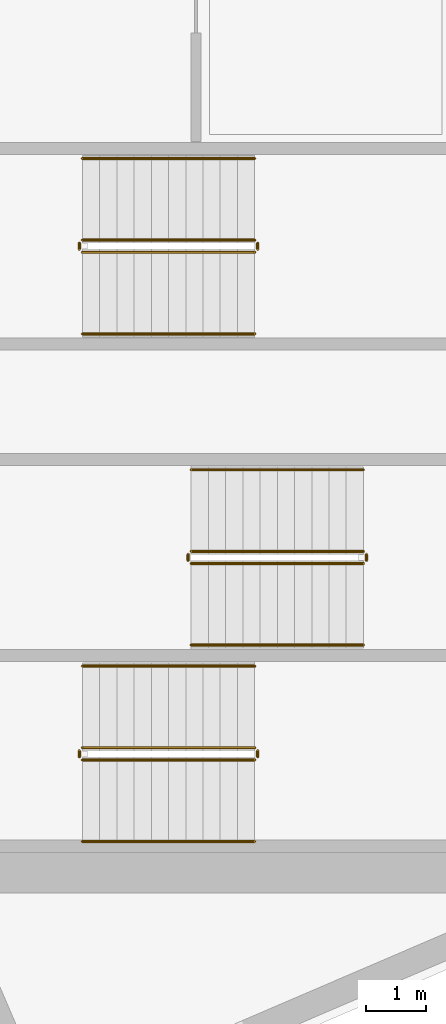
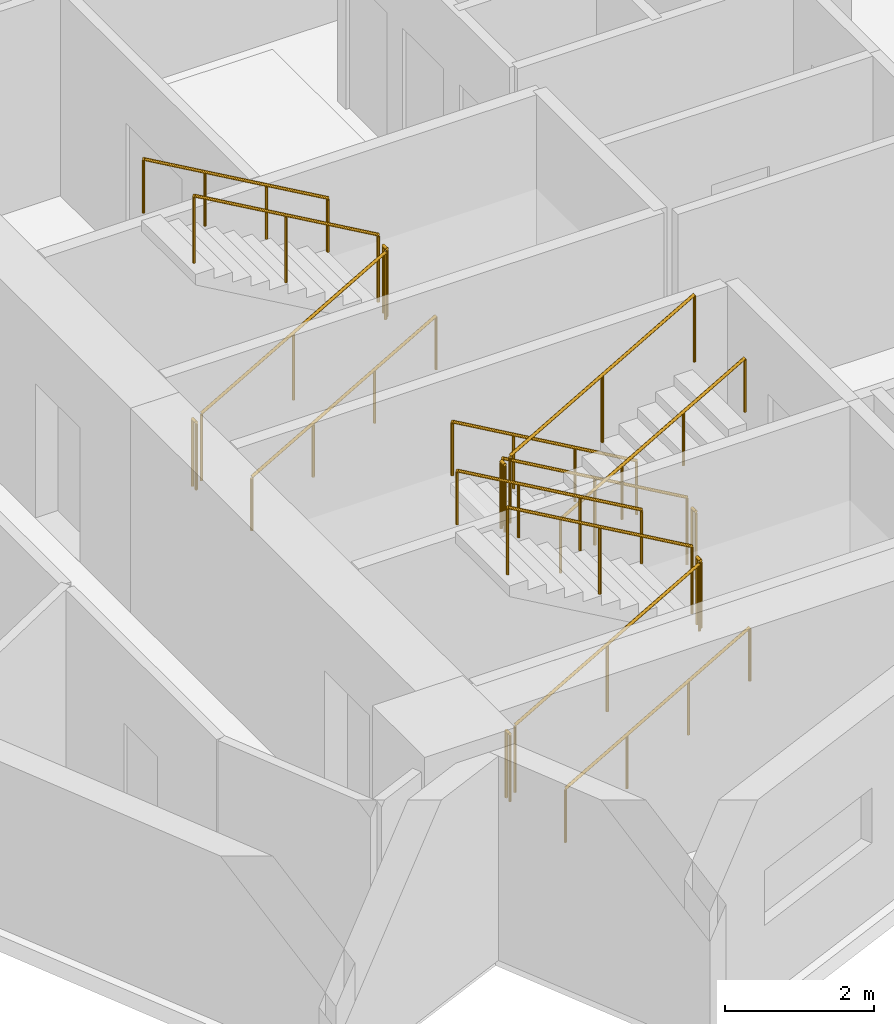
# One storey, part 13 of 14: 18 railings.
"""IFC4 building model written with IfcOpenShell, lengths in metres."""

from ifc_helpers import new_model, si_unit, direction, frame, origin, origin_2d, place, context, subcontext, project, spatial, circle, extrude, material, type_object, element, save


model = new_model("IFC4")

# Units and contexts
model_context = context("Model", 3, precision=1e-05, world=origin(), true_north=direction((0.0, 1.0)))
body_context = subcontext(model_context, "Body", "Model", "MODEL_VIEW")
ifc_project = project(units=[si_unit("LENGTHUNIT", "METRE"), si_unit("AREAUNIT", "SQUARE_METRE"), si_unit("VOLUMEUNIT", "CUBIC_METRE"), si_unit("PLANEANGLEUNIT", "RADIAN"), si_unit("MASSUNIT", "GRAM", prefix="KILO")], contexts=[model_context])

# Site, building, storey
site_placement = place(None, origin())
site = spatial("IfcSite", under=ifc_project, at=site_placement, CompositionType="ELEMENT")
building_placement = place(site_placement, origin())
building = spatial("IfcBuilding", under=site, at=building_placement, Name="Narakoshi Arena Tower", CompositionType="ELEMENT")
storey_placement = place(building_placement, frame((0.0, 0.0, 168.300048828125)))
storey = spatial("IfcBuildingStorey", under=building, at=storey_placement, Name="L45", CompositionType="ELEMENT", Elevation=168.300048828125)

# Railings
ifc_material_1 = material(Name="Clear low-iron laminated structural glass", Category="glass")
railing_type_1 = type_object("IfcRailingType", Name="RL-BAL-1100", PredefinedType="BALUSTRADE", material=ifc_material_1)
railing_1_placement = place(storey_placement, frame((74.39990234375, 36.949951171875, 0.16357421875)))
element("IfcRailing", 1, at=railing_1_placement, inside=storey, type_object=railing_type_1, Name="L45 ST1 stair guard 1", PredefinedType="BALUSTRADE", context=body_context, shape_type="SweptSolid", body=[
    extrude(circle(Radius=0.02392578125, at=origin_2d()), frame((0.0, 0.0, 1.09619140625), z_axis=(0.86721270334, 0.0, 0.497937874806), x_axis=(0.0, 1.0, 0.0)), (0.0, 0.0, 1.0), 3.28662109375),
    extrude(circle(Radius=0.02099609375, at=origin_2d()), origin(), (0.0, 0.0, 1.0), 1.072021484375),
    extrude(circle(Radius=0.02099609375, at=origin_2d()), frame((1.425048828125, 0.0, 0.818359375)), (0.0, 0.0, 1.0), 1.072021484375),
    extrude(circle(Radius=0.02099609375, at=origin_2d()), frame((2.85009765625, 0.0, 1.636474609375)), (0.0, 0.0, 1.0), 1.072021484375),
])
railing_2_placement = place(storey_placement, frame((77.300048828125, 37.0, 1.800048828125)))
element("IfcRailing", 2, at=railing_2_placement, inside=storey, type_object=railing_type_1, Name="L45 ST1 stair guard 2", PredefinedType="BALUSTRADE", context=body_context, shape_type="SweptSolid", body=[
    extrude(circle(Radius=0.02392578125, at=origin_2d()), frame((0.0, 0.0, 1.09619140625), z_axis=(0.0, 1.0, 0.0), x_axis=(-1.0, 0.0, 0.0)), (0.0, 0.0, 1.0), 0.10009765625),
    extrude(circle(Radius=0.02099609375, at=origin_2d()), origin(), (0.0, 0.0, 1.0), 1.072021484375),
    extrude(circle(Radius=0.02099609375, at=origin_2d()), frame((0.0, 0.10009765625, 0.0)), (0.0, 0.0, 1.0), 1.072021484375),
])
railing_3_placement = place(storey_placement, frame((77.25, 37.14990234375, 1.963623046875)))
element("IfcRailing", 3, at=railing_3_placement, inside=storey, type_object=railing_type_1, Name="L45 ST1 stair guard 3", PredefinedType="BALUSTRADE", context=body_context, shape_type="SweptSolid", body=[
    extrude(circle(Radius=0.02392578125, at=origin_2d()), frame((0.0, 0.0, 1.09619140625), z_axis=(-0.867244780686, 0.0, 0.497882004468), x_axis=(0.0, -1.0, 0.0)), (0.0, 0.0, 1.0), 3.286376953125),
    extrude(circle(Radius=0.02099609375, at=origin_2d()), origin(), (0.0, 0.0, 1.0), 1.072021484375),
    extrude(circle(Radius=0.02099609375, at=origin_2d()), frame((-1.425048828125, 0.0, 0.818115234375)), (0.0, 0.0, 1.0), 1.072021484375),
    extrude(circle(Radius=0.02099609375, at=origin_2d()), frame((-2.85009765625, 0.0, 1.63623046875)), (0.0, 0.0, 1.0), 1.072021484375),
])
railing_4_placement = place(storey_placement, frame((74.35009765625, 37.0, 0.0)))
element("IfcRailing", 4, at=railing_4_placement, inside=storey, type_object=railing_type_1, Name="L45 ST1 stair guard 4", PredefinedType="BALUSTRADE", context=body_context, shape_type="SweptSolid", body=[
    extrude(circle(Radius=0.02392578125, at=origin_2d()), frame((0.0, 0.0, 1.09619140625), z_axis=(0.0, 1.0, 0.0), x_axis=(-1.0, 0.0, 0.0)), (0.0, 0.0, 1.0), 0.10009765625),
    extrude(circle(Radius=0.02099609375, at=origin_2d()), origin(), (0.0, 0.0, 1.0), 1.072021484375),
    extrude(circle(Radius=0.02099609375, at=origin_2d()), frame((0.0, 0.10009765625, 0.0)), (0.0, 0.0, 1.0), 1.072021484375),
])
railing_5_placement = place(storey_placement, frame((79.050048828125, 40.39990234375, 0.16357421875)))
element("IfcRailing", 5, at=railing_5_placement, inside=storey, type_object=railing_type_1, Name="L45 ST2 stair guard 1", PredefinedType="BALUSTRADE", context=body_context, shape_type="SweptSolid", body=[
    extrude(circle(Radius=0.02392578125, at=origin_2d()), frame((0.0, 0.0, 1.09619140625), z_axis=(-0.86721270334, 0.0, 0.497937874806), x_axis=(0.0, -1.0, 0.0)), (0.0, 0.0, 1.0), 3.28662109375),
    extrude(circle(Radius=0.02099609375, at=origin_2d()), origin(), (0.0, 0.0, 1.0), 1.072021484375),
    extrude(circle(Radius=0.02099609375, at=origin_2d()), frame((-1.425048828125, 0.0, 0.818359375)), (0.0, 0.0, 1.0), 1.072021484375),
    extrude(circle(Radius=0.02099609375, at=origin_2d()), frame((-2.85009765625, 0.0, 1.636474609375)), (0.0, 0.0, 1.0), 1.072021484375),
])
railing_6_placement = place(storey_placement, frame((76.14990234375, 40.35009765625, 1.800048828125)))
element("IfcRailing", 6, at=railing_6_placement, inside=storey, type_object=railing_type_1, Name="L45 ST2 stair guard 2", PredefinedType="BALUSTRADE", context=body_context, shape_type="SweptSolid", body=[
    extrude(circle(Radius=0.02392578125, at=origin_2d()), frame((0.0, 0.0, 1.09619140625), z_axis=(0.0, -1.0, 0.0), x_axis=(1.0, 0.0, 0.0)), (0.0, 0.0, 1.0), 0.10009765625),
    extrude(circle(Radius=0.02099609375, at=origin_2d()), origin(), (0.0, 0.0, 1.0), 1.072021484375),
    extrude(circle(Radius=0.02099609375, at=origin_2d()), frame((0.0, -0.10009765625, 0.0)), (0.0, 0.0, 1.0), 1.072021484375),
])
railing_7_placement = place(storey_placement, frame((76.199951171875, 40.199951171875, 1.963623046875)))
element("IfcRailing", 7, at=railing_7_placement, inside=storey, type_object=railing_type_1, Name="L45 ST2 stair guard 3", PredefinedType="BALUSTRADE", context=body_context, shape_type="SweptSolid", body=[
    extrude(circle(Radius=0.02392578125, at=origin_2d()), frame((0.0, 0.0, 1.09619140625), z_axis=(0.867244780686, 0.0, 0.497882004468), x_axis=(0.0, 1.0, 0.0)), (0.0, 0.0, 1.0), 3.286376953125),
    extrude(circle(Radius=0.02099609375, at=origin_2d()), origin(), (0.0, 0.0, 1.0), 1.072021484375),
    extrude(circle(Radius=0.02099609375, at=origin_2d()), frame((1.425048828125, 0.0, 0.818115234375)), (0.0, 0.0, 1.0), 1.072021484375),
    extrude(circle(Radius=0.02099609375, at=origin_2d()), frame((2.85009765625, 0.0, 1.63623046875)), (0.0, 0.0, 1.0), 1.072021484375),
])
railing_8_placement = place(storey_placement, frame((79.10009765625, 40.35009765625, 0.0)))
element("IfcRailing", 8, at=railing_8_placement, inside=storey, type_object=railing_type_1, Name="L45 ST2 stair guard 4", PredefinedType="BALUSTRADE", context=body_context, shape_type="SweptSolid", body=[
    extrude(circle(Radius=0.02392578125, at=origin_2d()), frame((0.0, 0.0, 1.09619140625), z_axis=(0.0, -1.0, 0.0), x_axis=(1.0, 0.0, 0.0)), (0.0, 0.0, 1.0), 0.10009765625),
    extrude(circle(Radius=0.02099609375, at=origin_2d()), origin(), (0.0, 0.0, 1.0), 1.072021484375),
    extrude(circle(Radius=0.02099609375, at=origin_2d()), frame((0.0, -0.10009765625, 0.0)), (0.0, 0.0, 1.0), 1.072021484375),
])
railing_9_placement = place(storey_placement, frame((74.39990234375, 45.35009765625, 0.16357421875)))
element("IfcRailing", 9, at=railing_9_placement, inside=storey, type_object=railing_type_1, Name="L45 ST3 stair guard 1", PredefinedType="BALUSTRADE", context=body_context, shape_type="SweptSolid", body=[
    extrude(circle(Radius=0.02392578125, at=origin_2d()), frame((0.0, 0.0, 1.09619140625), z_axis=(0.86721270334, 0.0, 0.497937874806), x_axis=(0.0, 1.0, 0.0)), (0.0, 0.0, 1.0), 3.28662109375),
    extrude(circle(Radius=0.02099609375, at=origin_2d()), origin(), (0.0, 0.0, 1.0), 1.072021484375),
    extrude(circle(Radius=0.02099609375, at=origin_2d()), frame((1.425048828125, 0.0, 0.818359375)), (0.0, 0.0, 1.0), 1.072021484375),
    extrude(circle(Radius=0.02099609375, at=origin_2d()), frame((2.85009765625, 0.0, 1.636474609375)), (0.0, 0.0, 1.0), 1.072021484375),
])
railing_10_placement = place(storey_placement, frame((77.300048828125, 45.39990234375, 1.800048828125)))
element("IfcRailing", 10, at=railing_10_placement, inside=storey, type_object=railing_type_1, Name="L45 ST3 stair guard 2", PredefinedType="BALUSTRADE", context=body_context, shape_type="SweptSolid", body=[
    extrude(circle(Radius=0.02392578125, at=origin_2d()), frame((0.0, 0.0, 1.09619140625), z_axis=(0.0, 1.0, 0.0), x_axis=(-1.0, 0.0, 0.0)), (0.0, 0.0, 1.0), 0.10009765625),
    extrude(circle(Radius=0.02099609375, at=origin_2d()), origin(), (0.0, 0.0, 1.0), 1.072021484375),
    extrude(circle(Radius=0.02099609375, at=origin_2d()), frame((0.0, 0.10009765625, 0.0)), (0.0, 0.0, 1.0), 1.072021484375),
])
railing_11_placement = place(storey_placement, frame((77.25, 45.550048828125, 1.963623046875)))
element("IfcRailing", 11, at=railing_11_placement, inside=storey, type_object=railing_type_1, Name="L45 ST3 stair guard 3", PredefinedType="BALUSTRADE", context=body_context, shape_type="SweptSolid", body=[
    extrude(circle(Radius=0.02392578125, at=origin_2d()), frame((0.0, 0.0, 1.09619140625), z_axis=(-0.867244780686, 0.0, 0.497882004468), x_axis=(0.0, -1.0, 0.0)), (0.0, 0.0, 1.0), 3.286376953125),
    extrude(circle(Radius=0.02099609375, at=origin_2d()), origin(), (0.0, 0.0, 1.0), 1.072021484375),
    extrude(circle(Radius=0.02099609375, at=origin_2d()), frame((-1.425048828125, 0.0, 0.818115234375)), (0.0, 0.0, 1.0), 1.072021484375),
    extrude(circle(Radius=0.02099609375, at=origin_2d()), frame((-2.85009765625, 0.0, 1.63623046875)), (0.0, 0.0, 1.0), 1.072021484375),
])
railing_12_placement = place(storey_placement, frame((74.35009765625, 45.39990234375, 0.0)))
element("IfcRailing", 12, at=railing_12_placement, inside=storey, type_object=railing_type_1, Name="L45 ST3 stair guard 4", PredefinedType="BALUSTRADE", context=body_context, shape_type="SweptSolid", body=[
    extrude(circle(Radius=0.02392578125, at=origin_2d()), frame((0.0, 0.0, 1.09619140625), z_axis=(0.0, 1.0, 0.0), x_axis=(-1.0, 0.0, 0.0)), (0.0, 0.0, 1.0), 0.10009765625),
    extrude(circle(Radius=0.02099609375, at=origin_2d()), origin(), (0.0, 0.0, 1.0), 1.072021484375),
    extrude(circle(Radius=0.02099609375, at=origin_2d()), frame((0.0, 0.10009765625, 0.0)), (0.0, 0.0, 1.0), 1.072021484375),
])
ifc_material_2 = material(Name="Brushed bronze stainless steel", Category="steel")
railing_type_2 = type_object("IfcRailingType", Name="RL-HND-900", PredefinedType="HANDRAIL", material=ifc_material_2)
railing_13_placement = place(storey_placement, frame((74.39990234375, 35.60009765625, 0.16357421875)))
element("IfcRailing", 13, at=railing_13_placement, inside=storey, type_object=railing_type_2, Name="L45 ST1 stair handrail 1", PredefinedType="HANDRAIL", context=body_context, shape_type="SweptSolid", body=[
    extrude(circle(Radius=0.02392578125, at=origin_2d()), frame((0.0, 0.0, 0.8759765625), z_axis=(0.86721270334, 0.0, 0.497937874806), x_axis=(0.0, 1.0, 0.0)), (0.0, 0.0, 1.0), 3.28662109375),
    extrude(circle(Radius=0.02099609375, at=origin_2d()), origin(), (0.0, 0.0, 1.0), 0.851806640625),
    extrude(circle(Radius=0.02099609375, at=origin_2d()), frame((0.949951171875, 0.0, 0.54541015625)), (0.0, 0.0, 1.0), 0.851806640625),
    extrude(circle(Radius=0.02099609375, at=origin_2d()), frame((1.900146484375, 0.0, 1.091064453125)), (0.0, 0.0, 1.0), 0.851806640625),
    extrude(circle(Radius=0.02099609375, at=origin_2d()), frame((2.85009765625, 0.0, 1.636474609375)), (0.0, 0.0, 1.0), 0.851806640625),
])
railing_14_placement = place(storey_placement, frame((77.25, 38.5, 1.963623046875)))
element("IfcRailing", 14, at=railing_14_placement, inside=storey, type_object=railing_type_2, Name="L45 ST1 stair handrail 2", PredefinedType="HANDRAIL", context=body_context, shape_type="SweptSolid", body=[
    extrude(circle(Radius=0.02392578125, at=origin_2d()), frame((0.0, 0.0, 0.8759765625), z_axis=(-0.867244780686, 0.0, 0.497882004468), x_axis=(0.0, -1.0, 0.0)), (0.0, 0.0, 1.0), 3.286376953125),
    extrude(circle(Radius=0.02099609375, at=origin_2d()), origin(), (0.0, 0.0, 1.0), 0.851806640625),
    extrude(circle(Radius=0.02099609375, at=origin_2d()), frame((-0.949951171875, 0.0, 0.54541015625)), (0.0, 0.0, 1.0), 0.851806640625),
    extrude(circle(Radius=0.02099609375, at=origin_2d()), frame((-1.900146484375, 0.0, 1.0908203125)), (0.0, 0.0, 1.0), 0.851806640625),
    extrude(circle(Radius=0.02099609375, at=origin_2d()), frame((-2.85009765625, 0.0, 1.63623046875)), (0.0, 0.0, 1.0), 0.851806640625),
])
railing_15_placement = place(storey_placement, frame((79.050048828125, 41.75, 0.16357421875)))
element("IfcRailing", 15, at=railing_15_placement, inside=storey, type_object=railing_type_2, Name="L45 ST2 stair handrail 1", PredefinedType="HANDRAIL", context=body_context, shape_type="SweptSolid", body=[
    extrude(circle(Radius=0.02392578125, at=origin_2d()), frame((0.0, 0.0, 0.8759765625), z_axis=(-0.86721270334, 0.0, 0.497937874806), x_axis=(0.0, -1.0, 0.0)), (0.0, 0.0, 1.0), 3.28662109375),
    extrude(circle(Radius=0.02099609375, at=origin_2d()), origin(), (0.0, 0.0, 1.0), 0.851806640625),
    extrude(circle(Radius=0.02099609375, at=origin_2d()), frame((-0.949951171875, 0.0, 0.54541015625)), (0.0, 0.0, 1.0), 0.851806640625),
    extrude(circle(Radius=0.02099609375, at=origin_2d()), frame((-1.900146484375, 0.0, 1.091064453125)), (0.0, 0.0, 1.0), 0.851806640625),
    extrude(circle(Radius=0.02099609375, at=origin_2d()), frame((-2.85009765625, 0.0, 1.636474609375)), (0.0, 0.0, 1.0), 0.851806640625),
])
railing_16_placement = place(storey_placement, frame((76.199951171875, 38.85009765625, 1.963623046875)))
element("IfcRailing", 16, at=railing_16_placement, inside=storey, type_object=railing_type_2, Name="L45 ST2 stair handrail 2", PredefinedType="HANDRAIL", context=body_context, shape_type="SweptSolid", body=[
    extrude(circle(Radius=0.02392578125, at=origin_2d()), frame((0.0, 0.0, 0.8759765625), z_axis=(0.867244780686, 0.0, 0.497882004468), x_axis=(0.0, 1.0, 0.0)), (0.0, 0.0, 1.0), 3.286376953125),
    extrude(circle(Radius=0.02099609375, at=origin_2d()), origin(), (0.0, 0.0, 1.0), 0.851806640625),
    extrude(circle(Radius=0.02099609375, at=origin_2d()), frame((0.949951171875, 0.0, 0.54541015625)), (0.0, 0.0, 1.0), 0.851806640625),
    extrude(circle(Radius=0.02099609375, at=origin_2d()), frame((1.900146484375, 0.0, 1.0908203125)), (0.0, 0.0, 1.0), 0.851806640625),
    extrude(circle(Radius=0.02099609375, at=origin_2d()), frame((2.85009765625, 0.0, 1.63623046875)), (0.0, 0.0, 1.0), 0.851806640625),
])
railing_17_placement = place(storey_placement, frame((74.39990234375, 44.0, 0.16357421875)))
element("IfcRailing", 17, at=railing_17_placement, inside=storey, type_object=railing_type_2, Name="L45 ST3 stair handrail 1", PredefinedType="HANDRAIL", context=body_context, shape_type="SweptSolid", body=[
    extrude(circle(Radius=0.02392578125, at=origin_2d()), frame((0.0, 0.0, 0.8759765625), z_axis=(0.86721270334, 0.0, 0.497937874806), x_axis=(0.0, 1.0, 0.0)), (0.0, 0.0, 1.0), 3.28662109375),
    extrude(circle(Radius=0.02099609375, at=origin_2d()), origin(), (0.0, 0.0, 1.0), 0.851806640625),
    extrude(circle(Radius=0.02099609375, at=origin_2d()), frame((0.949951171875, 0.0, 0.54541015625)), (0.0, 0.0, 1.0), 0.851806640625),
    extrude(circle(Radius=0.02099609375, at=origin_2d()), frame((1.900146484375, 0.0, 1.091064453125)), (0.0, 0.0, 1.0), 0.851806640625),
    extrude(circle(Radius=0.02099609375, at=origin_2d()), frame((2.85009765625, 0.0, 1.636474609375)), (0.0, 0.0, 1.0), 0.851806640625),
])
railing_18_placement = place(storey_placement, frame((77.25, 46.89990234375, 1.963623046875)))
element("IfcRailing", 18, at=railing_18_placement, inside=storey, type_object=railing_type_2, Name="L45 ST3 stair handrail 2", PredefinedType="HANDRAIL", context=body_context, shape_type="SweptSolid", body=[
    extrude(circle(Radius=0.02392578125, at=origin_2d()), frame((0.0, 0.0, 0.8759765625), z_axis=(-0.867244780686, 0.0, 0.497882004468), x_axis=(0.0, -1.0, 0.0)), (0.0, 0.0, 1.0), 3.286376953125),
    extrude(circle(Radius=0.02099609375, at=origin_2d()), origin(), (0.0, 0.0, 1.0), 0.851806640625),
    extrude(circle(Radius=0.02099609375, at=origin_2d()), frame((-0.949951171875, 0.0, 0.54541015625)), (0.0, 0.0, 1.0), 0.851806640625),
    extrude(circle(Radius=0.02099609375, at=origin_2d()), frame((-1.900146484375, 0.0, 1.0908203125)), (0.0, 0.0, 1.0), 0.851806640625),
    extrude(circle(Radius=0.02099609375, at=origin_2d()), frame((-2.85009765625, 0.0, 1.63623046875)), (0.0, 0.0, 1.0), 0.851806640625),
])

save(model, "model.ifc")
